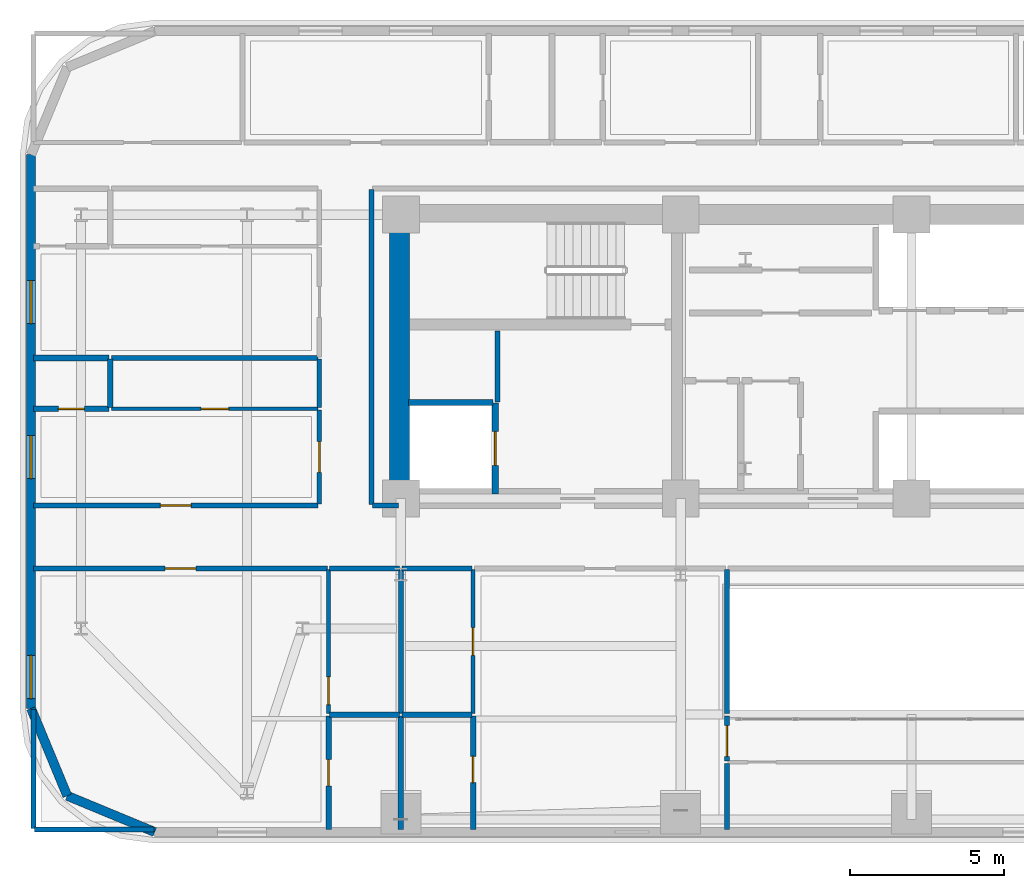
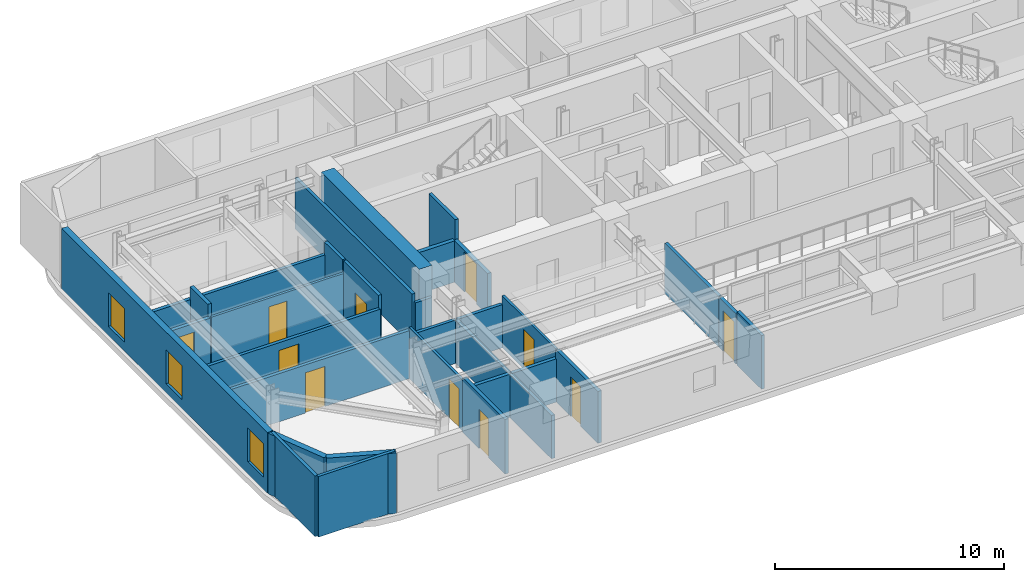
# One storey, part 8 of 16: 33 walls, 11 doors, 3 windows, 14 openings.
"""IFC4 building model written with IfcOpenShell, lengths in metres."""

from ifc_helpers import new_model, si_unit, direction, frame, frame_2d, origin, place, context, subcontext, project, spatial, rectangle, extrude, material, layer, layer_set, type_object, element, fill, save


model = new_model("IFC4")

# Units and contexts
model_context = context("Model", 3, precision=1e-05, world=origin(), true_north=direction((0.0, 1.0)))
body_context = subcontext(model_context, "Body", "Model", "MODEL_VIEW")
ifc_project = project(units=[si_unit("LENGTHUNIT", "METRE"), si_unit("AREAUNIT", "SQUARE_METRE"), si_unit("VOLUMEUNIT", "CUBIC_METRE"), si_unit("PLANEANGLEUNIT", "RADIAN"), si_unit("MASSUNIT", "GRAM", prefix="KILO")], contexts=[model_context])

# Site, building, storey
site_placement = place(None, origin())
site = spatial("IfcSite", under=ifc_project, at=site_placement, CompositionType="ELEMENT")
building_placement = place(site_placement, origin())
building = spatial("IfcBuilding", under=site, at=building_placement, Name="Zarnavel Station Tower", CompositionType="ELEMENT")
storey_placement = place(building_placement, frame((0.0, 0.0, 94.300048828125)))
storey = spatial("IfcBuildingStorey", under=building, at=storey_placement, Name="L25", CompositionType="ELEMENT", Elevation=94.300048828125)

# Wall
ifc_material_1 = material(Name="Concrete C60/75", Category="concrete")
ifc_layer_1 = layer(ifc_material_1, 0.64990234375)
ifc_layer_set_1 = layer_set([ifc_layer_1], Name="CW_650")
wall_type_1 = type_object("IfcWallType", Name="CW_650", PredefinedType="SHEAR", material=ifc_layer_set_1)
wall_1_placement = place(storey_placement, frame((12.14990234375, 28.14501953125, 0.0), z_axis=(0.0, 0.0, 1.0), x_axis=(0.0, 1.0, 0.0)))
element("IfcWall", 1, at=wall_1_placement, inside=storey, type_object=wall_type_1, Name="L25 Rear Core Shear Wall W", PredefinedType="SHEAR", context=body_context, shape_type="SweptSolid", body=[
    extrude(rectangle(XDim=8.580078125, YDim=0.64990234375, at=frame_2d((4.2900390625, 0.0))), origin(), (0.0, 0.0, 1.0), 3.5),
])

# Wall, openings, windows
ifc_material_2 = material(Name="Precast concrete C45/55 (Dark Basalt Finish)", Category="masonry")
ifc_layer_2 = layer(ifc_material_2, 0.300048828125)
ifc_layer_set_2 = layer_set([ifc_layer_2], Name="EW_BASALT_300")
wall_type_2 = type_object("IfcWallType", Name="EW_BASALT_300", PredefinedType="SOLIDWALL", material=ifc_layer_set_2)
wall_2_placement = place(storey_placement, frame((0.179931640625, 21.0, 0.0), z_axis=(0.0, 0.0, 1.0), x_axis=(0.0, 1.0, 0.0)))
wall_2 = element("IfcWall", 2, at=wall_2_placement, inside=storey, type_object=wall_type_2, Name="L25 Exterior Basalt Masonry Frame Wall 09", PredefinedType="SOLIDWALL", context=body_context, shape_type="SweptSolid", body=[
    extrude(rectangle(XDim=18.0, YDim=0.300048828125, at=frame_2d((9.0, 0.0))), origin(), (0.0, 0.0, 1.0), 3.239990234375),
])
opening_1_placement = place(wall_2_placement, frame((7.470458984375, 0.0, 0.47998046875)))
opening_1 = element("IfcOpeningElement", 3, at=opening_1_placement, cuts=wall_2, Name="Opening WN01", PredefinedType="OPENING", context=body_context, shape_type="SweptSolid", body=[
    extrude(rectangle(XDim=1.39990234375, YDim=1.800048828125, at=frame_2d((0.699951171875, 0.89990234375))), frame((0.0, 0.159912109375, 0.0), z_axis=(0.0, -1.0, 0.0), x_axis=(1.0, 0.0, 0.0)), (0.0, 0.0, 1.0), 0.320068359375),
])
opening_2_placement = place(wall_2_placement, frame((12.509033203125, 0.0, 0.47998046875)))
opening_2 = element("IfcOpeningElement", 4, at=opening_2_placement, cuts=wall_2, Name="Opening WN01", PredefinedType="OPENING", context=body_context, shape_type="SweptSolid", body=[
    extrude(rectangle(XDim=1.39990234375, YDim=1.800048828125, at=frame_2d((0.699951171875, 0.89990234375))), frame((0.0, 0.159912109375, 0.0), z_axis=(0.0, -1.0, 0.0), x_axis=(1.0, 0.0, 0.0)), (0.0, 0.0, 1.0), 0.320068359375),
])
opening_3_placement = place(wall_2_placement, frame((0.320068359375, 0.0, 0.64990234375)))
opening_3 = element("IfcOpeningElement", 5, at=opening_3_placement, cuts=wall_2, Name="Opening WN01", PredefinedType="OPENING", context=body_context, shape_type="SweptSolid", body=[
    extrude(rectangle(XDim=1.39990234375, YDim=1.800048828125, at=frame_2d((0.699951171875, 0.89990234375))), frame((0.0, 0.159912109375, 0.0), z_axis=(0.0, -1.0, 0.0), x_axis=(1.0, 0.0, 0.0)), (0.0, 0.0, 1.0), 0.320068359375),
])
ifc_material_3 = material(Name="Thermally Broken Black Aluminium and Low-E Dark Glass", Category="aluminium")
window_type = type_object("IfcWindowType", Name="WN_1400x1800", PartitioningType="DOUBLE_PANEL_VERTICAL", PredefinedType="WINDOW", material=ifc_material_3)
window_1_placement = place(opening_1_placement, origin())
window_1 = element("IfcWindow", 6, at=window_1_placement, inside=storey, type_object=window_type, Name="L25 Recessed Facade Window 01", OverallHeight=1.800048828125, OverallWidth=1.39990234375, PartitioningType="SINGLE_PANEL", PredefinedType="WINDOW", context=body_context, shape_type="SweptSolid", body=[
    extrude(rectangle(XDim=1.39990234375, YDim=1.800048828125, at=frame_2d((0.699951171875, 0.89990234375))), frame((0.0, 0.030029296875, 0.0), z_axis=(0.0, -1.0, 0.0), x_axis=(1.0, 0.0, 0.0)), (0.0, 0.0, 1.0), 0.06005859375),
])
fill(opening_1, window_1)
window_2_placement = place(opening_2_placement, origin())
window_2 = element("IfcWindow", 7, at=window_2_placement, inside=storey, type_object=window_type, Name="L25 Recessed Facade Window 02", OverallHeight=1.800048828125, OverallWidth=1.39990234375, PartitioningType="SINGLE_PANEL", PredefinedType="WINDOW", context=body_context, shape_type="SweptSolid", body=[
    extrude(rectangle(XDim=1.39990234375, YDim=1.800048828125, at=frame_2d((0.699951171875, 0.89990234375))), frame((0.0, 0.030029296875, 0.0), z_axis=(0.0, -1.0, 0.0), x_axis=(1.0, 0.0, 0.0)), (0.0, 0.0, 1.0), 0.06005859375),
])
fill(opening_2, window_2)
window_3_placement = place(opening_3_placement, origin())
window_3 = element("IfcWindow", 8, at=window_3_placement, inside=storey, type_object=window_type, Name="L25 Recessed Facade Window 03", OverallHeight=1.800048828125, OverallWidth=1.39990234375, PartitioningType="SINGLE_PANEL", PredefinedType="WINDOW", context=body_context, shape_type="SweptSolid", body=[
    extrude(rectangle(XDim=1.39990234375, YDim=1.800048828125, at=frame_2d((0.699951171875, 0.89990234375))), frame((0.0, 0.030029296875, 0.0), z_axis=(0.0, -1.0, 0.0), x_axis=(1.0, 0.0, 0.0)), (0.0, 0.0, 1.0), 0.06005859375),
])
fill(opening_3, window_3)

# Walls
for number, where, z_axis, x_axis, name in (
    (9, (1.357421875, 18.157470703125, 0.0), (0.0, 0.0, 1.0), (-0.382704529509, 0.923870793506, 0.0), "L25 Exterior Basalt Masonry Frame Wall 10"),
    (10, (4.199951171875, 16.97998046875, 0.0), (0.0, 0.0, 1.0), (-0.923870793506, 0.382704529509, 0.0), "L25 Exterior Basalt Masonry Frame Wall 11"),
):
    element("IfcWall", number, at=place(storey_placement, frame(where, z_axis=z_axis, x_axis=x_axis)), inside=storey, type_object=wall_type_2, Name=name, PredefinedType="SOLIDWALL", context=body_context, shape_type="SweptSolid", body=[
        extrude(rectangle(XDim=3.07666015625, YDim=0.300048828125, at=frame_2d((1.538330078125, 0.0))), origin(), (0.0, 0.0, 1.0), 3.239990234375),
    ])

# Wall, opening, door
ifc_material_4 = material(Name="Gypsum Twin-Stud Acoustic Fire Partition", Category="concrete")
ifc_layer_3 = layer(ifc_material_4, 0.159912109375)
ifc_layer_set_3 = layer_set([ifc_layer_3], Name="PT_DEMISE_160")
wall_type_3 = type_object("IfcWallType", Name="PT_DEMISE_160", PredefinedType="PARTITIONING", material=ifc_layer_set_3)
wall_3_placement = place(storey_placement, frame((0.260009765625, 27.60009765625, 0.0), z_axis=(0.0, 0.0, 1.0), x_axis=(1.0, 0.0, 0.0)))
wall_3 = element("IfcWall", 11, at=wall_3_placement, inside=storey, type_object=wall_type_3, Name="L25 Partition COR-S-FNW1R", PredefinedType="PARTITIONING", context=body_context, shape_type="SweptSolid", body=[
    extrude(rectangle(XDim=9.25, YDim=0.159912109375, at=frame_2d((4.625, 0.0))), origin(), (0.0, 0.0, 1.0), 2.570068359375),
])
opening_4_placement = place(wall_3_placement, frame((4.125, 0.0, 0.0)))
opening_4 = element("IfcOpeningElement", 12, at=opening_4_placement, cuts=wall_3, Name="Opening FD02", PredefinedType="OPENING", context=body_context, shape_type="SweptSolid", body=[
    extrude(rectangle(XDim=1.0, YDim=2.14990234375, at=frame_2d((0.5, 1.074951171875))), frame((0.0, 0.08984375, 0.0), z_axis=(0.0, -1.0, 0.0), x_axis=(1.0, 0.0, 0.0)), (0.0, 0.0, 1.0), 0.179931640625),
])
ifc_material_5 = material(Name="Painted Galvanised Steel and Hardwood Leaf", Category="steel")
door_type_1 = type_object("IfcDoorType", Name="ID_ENTRY_1000", OperationType="NOTDEFINED", PredefinedType="DOOR", material=ifc_material_5)
door_1_placement = place(opening_4_placement, origin())
door_1 = element("IfcDoor", 13, at=door_1_placement, inside=storey, type_object=door_type_1, Name="L25 Door COR-S-FNW1R", OperationType="SINGLE_SWING_LEFT", OverallHeight=2.14990234375, OverallWidth=1.0, PredefinedType="DOOR", context=body_context, shape_type="SweptSolid", body=[
    extrude(rectangle(XDim=1.0, YDim=2.14990234375, at=frame_2d((0.5, 1.074951171875))), frame((0.0, 0.02490234375, 0.0), z_axis=(0.0, -1.0, 0.0), x_axis=(1.0, 0.0, 0.0)), (0.0, 0.0, 1.0), 0.050048828125),
])
fill(opening_4, door_1)

wall_4_placement = place(storey_placement, frame((0.260009765625, 25.550048828125, 0.0), z_axis=(0.0, 0.0, 1.0), x_axis=(1.0, 0.0, 0.0)))
wall_4 = element("IfcWall", 14, at=wall_4_placement, inside=storey, type_object=wall_type_3, Name="L25 Partition COR-S-HW1R", PredefinedType="PARTITIONING", context=body_context, shape_type="SweptSolid", body=[
    extrude(rectangle(XDim=9.550048828125, YDim=0.159912109375, at=frame_2d((4.77490234375, 0.0))), origin(), (0.0, 0.0, 1.0), 2.570068359375),
])
opening_5_placement = place(wall_4_placement, frame((4.27490234375, 0.0, 0.0)))
opening_5 = element("IfcOpeningElement", 15, at=opening_5_placement, cuts=wall_4, Name="Opening FD02", PredefinedType="OPENING", context=body_context, shape_type="SweptSolid", body=[
    extrude(rectangle(XDim=1.0, YDim=2.14990234375, at=frame_2d((0.5, 1.074951171875))), frame((0.0, 0.08984375, 0.0), z_axis=(0.0, -1.0, 0.0), x_axis=(1.0, 0.0, 0.0)), (0.0, 0.0, 1.0), 0.179931640625),
])
door_2_placement = place(opening_5_placement, origin())
door_2 = element("IfcDoor", 16, at=door_2_placement, inside=storey, type_object=door_type_1, Name="L25 Door COR-S-HW1R", OperationType="SINGLE_SWING_LEFT", OverallHeight=2.14990234375, OverallWidth=1.0, PredefinedType="DOOR", context=body_context, shape_type="SweptSolid", body=[
    extrude(rectangle(XDim=1.0, YDim=2.14990234375, at=frame_2d((0.5, 1.074951171875))), frame((0.0, 0.02490234375, 0.0), z_axis=(0.0, -1.0, 0.0), x_axis=(1.0, 0.0, 0.0)), (0.0, 0.0, 1.0), 0.050048828125),
])
fill(opening_5, door_2)

# Walls
for number, where, z_axis, x_axis, name in (
    (17, (9.889892578125, 25.550048828125, 0.0), (0.0, 0.0, 1.0), (1.0, 0.0, 0.0), "L25 Partition COR-S-HW1S"),
    (18, (12.239990234375, 25.550048828125, 0.0), (0.0, 0.0, 1.0), (1.0, 0.0, 0.0), "L25 Partition COR-S-HW2S"),
):
    element("IfcWall", number, at=place(storey_placement, frame(where, z_axis=z_axis, x_axis=x_axis)), inside=storey, type_object=wall_type_3, Name=name, PredefinedType="PARTITIONING", context=body_context, shape_type="SweptSolid", body=[
        extrude(rectangle(XDim=2.27001953125, YDim=0.159912109375, at=frame_2d((1.135009765625, 0.0))), origin(), (0.0, 0.0, 1.0), 2.31005859375),
    ])

# Wall, opening, door
wall_5_placement = place(storey_placement, frame((9.550048828125, 27.639892578125, 0.0), z_axis=(0.0, 0.0, 1.0), x_axis=(0.0, 1.0, 0.0)))
wall_5 = element("IfcWall", 19, at=wall_5_placement, inside=storey, type_object=wall_type_3, Name="L25 Partition COR-W-FNW1R", PredefinedType="PARTITIONING", context=body_context, shape_type="SweptSolid", body=[
    extrude(rectangle(XDim=3.06103515625, YDim=0.159912109375, at=frame_2d((1.530517578125, 0.0))), origin(), (0.0, 0.0, 1.0), 3.239990234375),
])
opening_6_placement = place(wall_5_placement, frame((1.030517578125, 0.0, 0.0)))
opening_6 = element("IfcOpeningElement", 20, at=opening_6_placement, cuts=wall_5, Name="Opening FD02", PredefinedType="OPENING", context=body_context, shape_type="SweptSolid", body=[
    extrude(rectangle(XDim=1.0, YDim=2.14990234375, at=frame_2d((0.5, 1.074951171875))), frame((0.0, 0.08984375, 0.0), z_axis=(0.0, -1.0, 0.0), x_axis=(1.0, 0.0, 0.0)), (0.0, 0.0, 1.0), 0.179931640625),
])
door_3_placement = place(opening_6_placement, origin())
door_3 = element("IfcDoor", 21, at=door_3_placement, inside=storey, type_object=door_type_1, Name="L25 Door COR-W-FNW1R", OperationType="SINGLE_SWING_LEFT", OverallHeight=2.14990234375, OverallWidth=1.0, PredefinedType="DOOR", context=body_context, shape_type="SweptSolid", body=[
    extrude(rectangle(XDim=1.0, YDim=2.14990234375, at=frame_2d((0.5, 1.074951171875))), frame((0.0, 0.02490234375, 0.0), z_axis=(0.0, -1.0, 0.0), x_axis=(1.0, 0.0, 0.0)), (0.0, 0.0, 1.0), 0.050048828125),
])
fill(opening_6, door_3)

# Wall
wall_6_placement = place(storey_placement, frame((9.550048828125, 30.781005859375, 0.0), z_axis=(0.0, 0.0, 1.0), x_axis=(0.0, 1.0, 0.0)))
element("IfcWall", 22, at=wall_6_placement, inside=storey, type_object=wall_type_3, Name="L25 Partition COR-W-FNW1S", PredefinedType="PARTITIONING", context=body_context, shape_type="SweptSolid", body=[
    extrude(rectangle(XDim=1.570068359375, YDim=0.159912109375, at=frame_2d((0.78515625, 0.0))), origin(), (0.0, 0.0, 1.0), 3.239990234375),
])

# Wall, opening, door
wall_7_placement = place(storey_placement, frame((22.800048828125, 19.2900390625, 0.0), z_axis=(0.0, 0.0, 1.0), x_axis=(0.0, 1.0, 0.0)))
wall_7 = element("IfcWall", 23, at=wall_7_placement, inside=storey, type_object=wall_type_3, Name="L25 Partition COR-AS-HW2R", PredefinedType="PARTITIONING", context=body_context, shape_type="SweptSolid", body=[
    extrude(rectangle(XDim=1.469970703125, YDim=0.159912109375, at=frame_2d((0.73486328125, 0.0))), origin(), (0.0, 0.0, 1.0), 2.679931640625),
])
opening_7_placement = place(wall_7_placement, frame((0.14794921875, 0.0, 0.0)))
opening_7 = element("IfcOpeningElement", 24, at=opening_7_placement, cuts=wall_7, Name="Opening FD02", PredefinedType="OPENING", context=body_context, shape_type="SweptSolid", body=[
    extrude(rectangle(XDim=1.0, YDim=2.14990234375, at=frame_2d((0.5, 1.074951171875))), frame((0.0, 0.08984375, 0.0), z_axis=(0.0, -1.0, 0.0), x_axis=(1.0, 0.0, 0.0)), (0.0, 0.0, 1.0), 0.179931640625),
])
door_4_placement = place(opening_7_placement, origin())
door_4 = element("IfcDoor", 25, at=door_4_placement, inside=storey, type_object=door_type_1, Name="L25 Door COR-AS-HW2R", OperationType="SINGLE_SWING_RIGHT", OverallHeight=2.14990234375, OverallWidth=1.0, PredefinedType="DOOR", context=body_context, shape_type="SweptSolid", body=[
    extrude(rectangle(XDim=1.0, YDim=2.14990234375, at=frame_2d((0.5, 1.074951171875))), frame((0.0, 0.02490234375, 0.0), z_axis=(0.0, -1.0, 0.0), x_axis=(1.0, 0.0, 0.0)), (0.0, 0.0, 1.0), 0.050048828125),
])
fill(opening_7, door_4)

# Walls
wall_8_placement = place(storey_placement, frame((2.800048828125, 32.39111328125, 0.0), z_axis=(0.0, 0.0, 1.0), x_axis=(1.0, 0.0, 0.0)))
element("IfcWall", 26, at=wall_8_placement, inside=storey, type_object=wall_type_3, Name="L25 Partition FNW1S-FNW2R", PredefinedType="PARTITIONING", context=body_context, shape_type="SweptSolid", body=[
    extrude(rectangle(XDim=6.7099609375, YDim=0.159912109375, at=frame_2d((3.35498046875, 0.0))), origin(), (0.0, 0.0, 1.0), 2.570068359375),
])
wall_9_placement = place(storey_placement, frame((12.199951171875, 20.8359375, 0.0), z_axis=(0.0, 0.0, 1.0), x_axis=(0.0, 1.0, 0.0)))
element("IfcWall", 27, at=wall_9_placement, inside=storey, type_object=wall_type_3, Name="L25 Partition HW1S-HW2S", PredefinedType="PARTITIONING", context=body_context, shape_type="SweptSolid", body=[
    extrude(rectangle(XDim=4.674072265625, YDim=0.159912109375, at=frame_2d((2.3369140625, 0.0))), origin(), (0.0, 0.0, 1.0), 2.31005859375),
])
wall_10_placement = place(storey_placement, frame((22.800048828125, 17.06005859375, 0.0), z_axis=(0.0, 0.0, 1.0), x_axis=(0.0, 1.0, 0.0)))
element("IfcWall", 28, at=wall_10_placement, inside=storey, type_object=wall_type_3, Name="L25 Partition HW2R-L25SAL", PredefinedType="PARTITIONING", context=body_context, shape_type="SweptSolid", body=[
    extrude(rectangle(XDim=2.14990234375, YDim=0.159912109375, at=frame_2d((1.074951171875, 0.0))), origin(), (0.0, 0.0, 1.0), 2.85986328125),
])
wall_11_placement = place(storey_placement, frame((15.35009765625, 30.9599609375, 0.0), z_axis=(0.0, 0.0, 1.0), x_axis=(0.0, 1.0, 0.0)))
element("IfcWall", 29, at=wall_11_placement, inside=storey, type_object=wall_type_3, Name="L25 Enclosure Wall FFL1", PredefinedType="PARTITIONING", context=body_context, shape_type="SweptSolid", body=[
    extrude(rectangle(XDim=2.31005859375, YDim=0.159912109375, at=frame_2d((1.155029296875, 0.0))), origin(), (0.0, 0.0, 1.0), 3.239990234375),
])
wall_12_placement = place(storey_placement, frame((11.280029296875, 27.60009765625, 0.0), z_axis=(0.0, 0.0, 1.0), x_axis=(1.0, 0.0, 0.0)))
element("IfcWall", 30, at=wall_12_placement, inside=storey, type_object=wall_type_3, Name="L25 Enclosure Wall COR-S", PredefinedType="PARTITIONING", context=body_context, shape_type="SweptSolid", body=[
    extrude(rectangle(XDim=0.840087890625, YDim=0.159912109375, at=frame_2d((0.419921875, 0.0))), origin(), (0.0, 0.0, 1.0), 2.280029296875),
])
wall_13_placement = place(storey_placement, frame((11.25, 27.6298828125, 0.0), z_axis=(0.0, 0.0, 1.0), x_axis=(0.0, 1.0, 0.0)))
element("IfcWall", 31, at=wall_13_placement, inside=storey, type_object=wall_type_3, Name="L25 Enclosure Wall COR-W", PredefinedType="PARTITIONING", context=body_context, shape_type="SweptSolid", body=[
    extrude(rectangle(XDim=10.240234375, YDim=0.159912109375, at=frame_2d((5.1201171875, 0.0))), origin(), (0.0, 0.0, 1.0), 2.719970703125),
])
for number, where, z_axis, x_axis, name in (
    (32, (0.2900390625, 17.06005859375, 0.0), (0.0, 0.0, 1.0), (1.0, 0.0, 0.0), "L25 Enclosure Wall HW1R"),
    (33, (0.260009765625, 17.090087890625, 0.0), (0.0, 0.0, 1.0), (0.0, 1.0, 0.0), "L25 Enclosure Wall HW1R"),
):
    element("IfcWall", number, at=place(storey_placement, frame(where, z_axis=z_axis, x_axis=x_axis)), inside=storey, type_object=wall_type_3, Name=name, PredefinedType="PARTITIONING", context=body_context, shape_type="SweptSolid", body=[
        extrude(rectangle(XDim=3.8798828125, YDim=0.159912109375, at=frame_2d((1.93994140625, 0.0))), origin(), (0.0, 0.0, 1.0), 3.239990234375),
    ])
wall_14_placement = place(storey_placement, frame((22.800048828125, 20.830078125, 0.0), z_axis=(0.0, 0.0, 1.0), x_axis=(0.0, 1.0, 0.0)))
element("IfcWall", 34, at=wall_14_placement, inside=storey, type_object=wall_type_3, Name="L25 Enclosure Wall HW2R", PredefinedType="PARTITIONING", context=body_context, shape_type="SweptSolid", body=[
    extrude(rectangle(XDim=4.68994140625, YDim=0.159912109375, at=frame_2d((2.344970703125, 0.0))), origin(), (0.0, 0.0, 1.0), 2.679931640625),
])

# Wall, opening, door
ifc_material_6 = material(Name="Gypsum Metal-Stud Interior Partition", Category="concrete")
ifc_layer_4 = layer(ifc_material_6, 0.1201171875)
ifc_layer_set_4 = layer_set([ifc_layer_4], Name="PT_ROOM_120")
wall_type_4 = type_object("IfcWallType", Name="PT_ROOM_120", PredefinedType="PARTITIONING", material=ifc_layer_set_4)
wall_15_placement = place(storey_placement, frame((2.800048828125, 30.740966796875, 0.0), z_axis=(0.0, 0.0, 1.0), x_axis=(1.0, 0.0, 0.0)))
wall_15 = element("IfcWall", 35, at=wall_15_placement, inside=storey, type_object=wall_type_4, Name="L25 Partition FNW1R-FNW1S", PredefinedType="PARTITIONING", context=body_context, shape_type="SweptSolid", body=[
    extrude(rectangle(XDim=6.7099609375, YDim=0.1201171875, at=frame_2d((3.35498046875, 0.0))), origin(), (0.0, 0.0, 1.0), 2.570068359375),
])
opening_8_placement = place(wall_15_placement, frame((2.905029296875, 0.0, 0.0)))
opening_8 = element("IfcOpeningElement", 36, at=opening_8_placement, cuts=wall_15, Name="Opening ID01", PredefinedType="OPENING", context=body_context, shape_type="SweptSolid", body=[
    extrude(rectangle(XDim=0.89990234375, YDim=2.10009765625, at=frame_2d((0.449951171875, 1.050048828125))), frame((0.0, 0.070068359375, 0.0), z_axis=(0.0, -1.0, 0.0), x_axis=(1.0, 0.0, 0.0)), (0.0, 0.0, 1.0), 0.14013671875),
])
ifc_material_7 = material(Name="Painted Galvanised Steel and Hardwood Leaf", Category="steel")
door_type_2 = type_object("IfcDoorType", Name="ID_ROOM_900", OperationType="NOTDEFINED", PredefinedType="DOOR", material=ifc_material_7)
door_5_placement = place(opening_8_placement, origin())
door_5 = element("IfcDoor", 37, at=door_5_placement, inside=storey, type_object=door_type_2, Name="L25 Door FNW1R-FNW1S", OperationType="SINGLE_SWING_LEFT", OverallHeight=2.10009765625, OverallWidth=0.89990234375, PredefinedType="DOOR", context=body_context, shape_type="SweptSolid", body=[
    extrude(rectangle(XDim=0.89990234375, YDim=2.10009765625, at=frame_2d((0.449951171875, 1.050048828125))), frame((0.0, 0.02490234375, 0.0), z_axis=(0.0, -1.0, 0.0), x_axis=(1.0, 0.0, 0.0)), (0.0, 0.0, 1.0), 0.050048828125),
])
fill(opening_8, door_5)

wall_16_placement = place(storey_placement, frame((9.85009765625, 20.8359375, 0.0), z_axis=(0.0, 0.0, 1.0), x_axis=(0.0, 1.0, 0.0)))
wall_16 = element("IfcWall", 38, at=wall_16_placement, inside=storey, type_object=wall_type_4, Name="L25 Partition HW1R-HW1S", PredefinedType="PARTITIONING", context=body_context, shape_type="SweptSolid", body=[
    extrude(rectangle(XDim=4.674072265625, YDim=0.1201171875, at=frame_2d((2.3369140625, 0.0))), origin(), (0.0, 0.0, 1.0), 2.719970703125),
])
opening_9_placement = place(wall_16_placement, frame((0.28564453125, 0.0, 0.0)))
opening_9 = element("IfcOpeningElement", 39, at=opening_9_placement, cuts=wall_16, Name="Opening ID01", PredefinedType="OPENING", context=body_context, shape_type="SweptSolid", body=[
    extrude(rectangle(XDim=0.89990234375, YDim=2.10009765625, at=frame_2d((0.449951171875, 1.050048828125))), frame((0.0, 0.070068359375, 0.0), z_axis=(0.0, -1.0, 0.0), x_axis=(1.0, 0.0, 0.0)), (0.0, 0.0, 1.0), 0.14013671875),
])
door_6_placement = place(opening_9_placement, origin())
door_6 = element("IfcDoor", 40, at=door_6_placement, inside=storey, type_object=door_type_2, Name="L25 Door HW1R-HW1S", OperationType="SINGLE_SWING_LEFT", OverallHeight=2.10009765625, OverallWidth=0.89990234375, PredefinedType="DOOR", context=body_context, shape_type="SweptSolid", body=[
    extrude(rectangle(XDim=0.89990234375, YDim=2.10009765625, at=frame_2d((0.449951171875, 1.050048828125))), frame((0.0, 0.02490234375, 0.0), z_axis=(0.0, -1.0, 0.0), x_axis=(1.0, 0.0, 0.0)), (0.0, 0.0, 1.0), 0.050048828125),
])
fill(opening_9, door_6)

wall_17_placement = place(storey_placement, frame((14.550048828125, 20.8359375, 0.0), z_axis=(0.0, 0.0, 1.0), x_axis=(0.0, 1.0, 0.0)))
wall_17 = element("IfcWall", 41, at=wall_17_placement, inside=storey, type_object=wall_type_4, Name="L25 Partition HW2R-HW2S", PredefinedType="PARTITIONING", context=body_context, shape_type="SweptSolid", body=[
    extrude(rectangle(XDim=4.674072265625, YDim=0.1201171875, at=frame_2d((2.3369140625, 0.0))), origin(), (0.0, 0.0, 1.0), 2.77001953125),
])
opening_10_placement = place(wall_17_placement, frame((1.886962890625, 0.0, 0.0)))
opening_10 = element("IfcOpeningElement", 42, at=opening_10_placement, cuts=wall_17, Name="Opening ID01", PredefinedType="OPENING", context=body_context, shape_type="SweptSolid", body=[
    extrude(rectangle(XDim=0.89990234375, YDim=2.10009765625, at=frame_2d((0.449951171875, 1.050048828125))), frame((0.0, 0.070068359375, 0.0), z_axis=(0.0, -1.0, 0.0), x_axis=(1.0, 0.0, 0.0)), (0.0, 0.0, 1.0), 0.14013671875),
])
door_7_placement = place(opening_10_placement, origin())
door_7 = element("IfcDoor", 43, at=door_7_placement, inside=storey, type_object=door_type_2, Name="L25 Door HW2R-HW2S", OperationType="SINGLE_SWING_LEFT", OverallHeight=2.10009765625, OverallWidth=0.89990234375, PredefinedType="DOOR", context=body_context, shape_type="SweptSolid", body=[
    extrude(rectangle(XDim=0.89990234375, YDim=2.10009765625, at=frame_2d((0.449951171875, 1.050048828125))), frame((0.0, 0.02490234375, 0.0), z_axis=(0.0, -1.0, 0.0), x_axis=(1.0, 0.0, 0.0)), (0.0, 0.0, 1.0), 0.050048828125),
])
fill(opening_10, door_7)

ifc_material_8 = material(Name="Precast concrete C45/55 (Fire Shaft Blockwork)", Category="masonry")
ifc_layer_5 = layer(ifc_material_8, 0.199951171875)
ifc_layer_set_5 = layer_set([ifc_layer_5], Name="PT_SHAFT_200")
wall_type_5 = type_object("IfcWallType", Name="PT_SHAFT_200", PredefinedType="PARTITIONING", material=ifc_layer_set_5)
wall_18_placement = place(storey_placement, frame((15.27001953125, 27.969970703125, 0.0), z_axis=(0.0, 0.0, 1.0), x_axis=(0.0, 1.0, 0.0)))
wall_18 = element("IfcWall", 44, at=wall_18_placement, inside=storey, type_object=wall_type_5, Name="L25 Lift FFL-01 Shaft Front Wall", PredefinedType="PARTITIONING", context=body_context, shape_type="SweptSolid", body=[
    extrude(rectangle(XDim=2.9599609375, YDim=0.199951171875, at=frame_2d((1.47998046875, 0.0))), origin(), (0.0, 0.0, 1.0), 2.2119140625),
])
opening_11_placement = place(wall_18_placement, frame((0.929931640625, 0.0, 0.0)))
opening_11 = element("IfcOpeningElement", 45, at=opening_11_placement, cuts=wall_18, Name="Opening LD01", PredefinedType="OPENING", context=body_context, shape_type="SweptSolid", body=[
    extrude(rectangle(XDim=1.10009765625, YDim=2.14990234375, at=frame_2d((0.550048828125, 1.074951171875))), frame((0.0, 0.10986328125, 0.0), z_axis=(0.0, -1.0, 0.0), x_axis=(1.0, 0.0, 0.0)), (0.0, 0.0, 1.0), 0.219970703125),
])
ifc_material_9 = material(Name="Painted Galvanised Steel and Hardwood Leaf", Category="steel")
door_type_3 = type_object("IfcDoorType", Name="LD_FF_1100", OperationType="DOUBLE_DOOR_SLIDING", PredefinedType="DOOR", material=ifc_material_9)
door_8_placement = place(opening_11_placement, origin())
door_8 = element("IfcDoor", 46, at=door_8_placement, inside=storey, type_object=door_type_3, Name="L25 Lift FFL-01 Sliding Landing Door", OperationType="DOUBLE_DOOR_SLIDING", OverallHeight=2.14990234375, OverallWidth=1.10009765625, PredefinedType="DOOR", context=body_context, shape_type="SweptSolid", body=[
    extrude(rectangle(XDim=1.10009765625, YDim=2.14990234375, at=frame_2d((0.550048828125, 1.074951171875))), frame((0.0, 0.02490234375, 0.0), z_axis=(0.0, -1.0, 0.0), x_axis=(1.0, 0.0, 0.0)), (0.0, 0.0, 1.0), 0.050048828125),
])
fill(opening_11, door_8)

# Wall
wall_19_placement = place(storey_placement, frame((12.449951171875, 30.949951171875, 0.0), z_axis=(0.0, 0.0, 1.0), x_axis=(1.0, 0.0, 0.0)))
element("IfcWall", 47, at=wall_19_placement, inside=storey, type_object=wall_type_5, Name="L25 Lift FFL-01 North Shaft Wall", PredefinedType="PARTITIONING", context=body_context, shape_type="SweptSolid", body=[
    extrude(rectangle(XDim=2.75, YDim=0.199951171875, at=frame_2d((1.375, 0.0))), origin(), (0.0, 0.0, 1.0), 2.2119140625),
])

# Wall, opening, door
ifc_material_10 = material(Name="Moisture-Resistant Plumbing Chase Wall", Category="concrete")
ifc_layer_6 = layer(ifc_material_10, 0.179931640625)
ifc_layer_set_6 = layer_set([ifc_layer_6], Name="PW_PLUMB_180")
wall_type_6 = type_object("IfcWallType", Name="PW_PLUMB_180", PredefinedType="PLUMBINGWALL", material=ifc_layer_set_6)
wall_20_placement = place(storey_placement, frame((0.260009765625, 30.740966796875, 0.0), z_axis=(0.0, 0.0, 1.0), x_axis=(1.0, 0.0, 0.0)))
wall_20 = element("IfcWall", 48, at=wall_20_placement, inside=storey, type_object=wall_type_6, Name="L25 Partition FNW1R-FNW1B", PredefinedType="PLUMBINGWALL", context=body_context, shape_type="SweptSolid", body=[
    extrude(rectangle(XDim=2.4599609375, YDim=0.179931640625, at=frame_2d((1.22998046875, 0.0))), origin(), (0.0, 0.0, 1.0), 2.570068359375),
])
opening_12_placement = place(wall_20_placement, frame((0.804931640625, 0.0, 0.0)))
opening_12 = element("IfcOpeningElement", 49, at=opening_12_placement, cuts=wall_20, Name="Opening ID02", PredefinedType="OPENING", context=body_context, shape_type="SweptSolid", body=[
    extrude(rectangle(XDim=0.85009765625, YDim=2.10009765625, at=frame_2d((0.425048828125, 1.050048828125))), frame((0.0, 0.099853515625, 0.0), z_axis=(0.0, -1.0, 0.0), x_axis=(1.0, 0.0, 0.0)), (0.0, 0.0, 1.0), 0.199951171875),
])
ifc_material_11 = material(Name="Painted Galvanised Steel and Hardwood Leaf", Category="steel")
door_type_4 = type_object("IfcDoorType", Name="ID_BATH_850", OperationType="NOTDEFINED", PredefinedType="DOOR", material=ifc_material_11)
door_9_placement = place(opening_12_placement, origin())
door_9 = element("IfcDoor", 50, at=door_9_placement, inside=storey, type_object=door_type_4, Name="L25 Door FNW1R-FNW1B", OperationType="SINGLE_SWING_RIGHT", OverallHeight=2.10009765625, OverallWidth=0.85009765625, PredefinedType="DOOR", context=body_context, shape_type="SweptSolid", body=[
    extrude(rectangle(XDim=0.85009765625, YDim=2.10009765625, at=frame_2d((0.425048828125, 1.050048828125))), frame((0.0, 0.02490234375, 0.0), z_axis=(0.0, -1.0, 0.0), x_axis=(1.0, 0.0, 0.0)), (0.0, 0.0, 1.0), 0.050048828125),
])
fill(opening_12, door_9)

# Walls
wall_21_placement = place(storey_placement, frame((2.760009765625, 30.781005859375, 0.0), z_axis=(0.0, 0.0, 1.0), x_axis=(0.0, 1.0, 0.0)))
element("IfcWall", 51, at=wall_21_placement, inside=storey, type_object=wall_type_6, Name="L25 Partition FNW1B-FNW1S", PredefinedType="PLUMBINGWALL", context=body_context, shape_type="SweptSolid", body=[
    extrude(rectangle(XDim=1.570068359375, YDim=0.179931640625, at=frame_2d((0.78515625, 0.0))), origin(), (0.0, 0.0, 1.0), 3.239990234375),
])
wall_22_placement = place(storey_placement, frame((0.260009765625, 32.39111328125, 0.0), z_axis=(0.0, 0.0, 1.0), x_axis=(1.0, 0.0, 0.0)))
element("IfcWall", 52, at=wall_22_placement, inside=storey, type_object=wall_type_6, Name="L25 Partition FNW1B-FNW2R", PredefinedType="PLUMBINGWALL", context=body_context, shape_type="SweptSolid", body=[
    extrude(rectangle(XDim=2.4599609375, YDim=0.179931640625, at=frame_2d((1.22998046875, 0.0))), origin(), (0.0, 0.0, 1.0), 2.570068359375),
])

# Wall, opening, door
wall_23_placement = place(storey_placement, frame((9.85009765625, 17.06005859375, 0.0), z_axis=(0.0, 0.0, 1.0), x_axis=(0.0, 1.0, 0.0)))
wall_23 = element("IfcWall", 53, at=wall_23_placement, inside=storey, type_object=wall_type_6, Name="L25 Partition HW1R-HW1B", PredefinedType="PLUMBINGWALL", context=body_context, shape_type="SweptSolid", body=[
    extrude(rectangle(XDim=3.696044921875, YDim=0.179931640625, at=frame_2d((1.84814453125, 0.0))), origin(), (0.0, 0.0, 1.0), 2.919921875),
])
opening_13_placement = place(wall_23_placement, frame((1.423095703125, 0.0, 0.0)))
opening_13 = element("IfcOpeningElement", 54, at=opening_13_placement, cuts=wall_23, Name="Opening ID02", PredefinedType="OPENING", context=body_context, shape_type="SweptSolid", body=[
    extrude(rectangle(XDim=0.85009765625, YDim=2.10009765625, at=frame_2d((0.425048828125, 1.050048828125))), frame((0.0, 0.099853515625, 0.0), z_axis=(0.0, -1.0, 0.0), x_axis=(1.0, 0.0, 0.0)), (0.0, 0.0, 1.0), 0.199951171875),
])
door_10_placement = place(opening_13_placement, origin())
door_10 = element("IfcDoor", 55, at=door_10_placement, inside=storey, type_object=door_type_4, Name="L25 Door HW1R-HW1B", OperationType="SINGLE_SWING_RIGHT", OverallHeight=2.10009765625, OverallWidth=0.85009765625, PredefinedType="DOOR", context=body_context, shape_type="SweptSolid", body=[
    extrude(rectangle(XDim=0.85009765625, YDim=2.10009765625, at=frame_2d((0.425048828125, 1.050048828125))), frame((0.0, 0.02490234375, 0.0), z_axis=(0.0, -1.0, 0.0), x_axis=(1.0, 0.0, 0.0)), (0.0, 0.0, 1.0), 0.050048828125),
])
fill(opening_13, door_10)

# Walls
wall_24_placement = place(storey_placement, frame((9.889892578125, 20.7958984375, 0.0), z_axis=(0.0, 0.0, 1.0), x_axis=(1.0, 0.0, 0.0)))
element("IfcWall", 56, at=wall_24_placement, inside=storey, type_object=wall_type_6, Name="L25 Partition HW1B-HW1S", PredefinedType="PLUMBINGWALL", context=body_context, shape_type="SweptSolid", body=[
    extrude(rectangle(XDim=2.27001953125, YDim=0.179931640625, at=frame_2d((1.135009765625, 0.0))), origin(), (0.0, 0.0, 1.0), 2.31005859375),
])
wall_25_placement = place(storey_placement, frame((12.199951171875, 17.06005859375, 0.0), z_axis=(0.0, 0.0, 1.0), x_axis=(0.0, 1.0, 0.0)))
element("IfcWall", 57, at=wall_25_placement, inside=storey, type_object=wall_type_6, Name="L25 Partition HW1B-HW2B", PredefinedType="PLUMBINGWALL", context=body_context, shape_type="SweptSolid", body=[
    extrude(rectangle(XDim=3.696044921875, YDim=0.179931640625, at=frame_2d((1.84814453125, 0.0))), origin(), (0.0, 0.0, 1.0), 2.31005859375),
])

# Wall, opening, door
wall_26_placement = place(storey_placement, frame((14.550048828125, 17.06005859375, 0.0), z_axis=(0.0, 0.0, 1.0), x_axis=(0.0, 1.0, 0.0)))
wall_26 = element("IfcWall", 58, at=wall_26_placement, inside=storey, type_object=wall_type_6, Name="L25 Partition HW2R-HW2B", PredefinedType="PLUMBINGWALL", context=body_context, shape_type="SweptSolid", body=[
    extrude(rectangle(XDim=3.696044921875, YDim=0.179931640625, at=frame_2d((1.84814453125, 0.0))), origin(), (0.0, 0.0, 1.0), 2.77001953125),
])
opening_14_placement = place(wall_26_placement, frame((1.52978515625, 0.0, 0.0)))
opening_14 = element("IfcOpeningElement", 59, at=opening_14_placement, cuts=wall_26, Name="Opening ID02", PredefinedType="OPENING", context=body_context, shape_type="SweptSolid", body=[
    extrude(rectangle(XDim=0.85009765625, YDim=2.10009765625, at=frame_2d((0.425048828125, 1.050048828125))), frame((0.0, 0.099853515625, 0.0), z_axis=(0.0, -1.0, 0.0), x_axis=(1.0, 0.0, 0.0)), (0.0, 0.0, 1.0), 0.199951171875),
])
door_11_placement = place(opening_14_placement, origin())
door_11 = element("IfcDoor", 60, at=door_11_placement, inside=storey, type_object=door_type_4, Name="L25 Door HW2R-HW2B", OperationType="SINGLE_SWING_RIGHT", OverallHeight=2.10009765625, OverallWidth=0.85009765625, PredefinedType="DOOR", context=body_context, shape_type="SweptSolid", body=[
    extrude(rectangle(XDim=0.85009765625, YDim=2.10009765625, at=frame_2d((0.425048828125, 1.050048828125))), frame((0.0, 0.02490234375, 0.0), z_axis=(0.0, -1.0, 0.0), x_axis=(1.0, 0.0, 0.0)), (0.0, 0.0, 1.0), 0.050048828125),
])
fill(opening_14, door_11)

# Wall
wall_27_placement = place(storey_placement, frame((12.239990234375, 20.7958984375, 0.0), z_axis=(0.0, 0.0, 1.0), x_axis=(1.0, 0.0, 0.0)))
element("IfcWall", 61, at=wall_27_placement, inside=storey, type_object=wall_type_6, Name="L25 Partition HW2B-HW2S", PredefinedType="PLUMBINGWALL", context=body_context, shape_type="SweptSolid", body=[
    extrude(rectangle(XDim=2.27001953125, YDim=0.179931640625, at=frame_2d((1.135009765625, 0.0))), origin(), (0.0, 0.0, 1.0), 2.31005859375),
])

save(model, "model.ifc")
